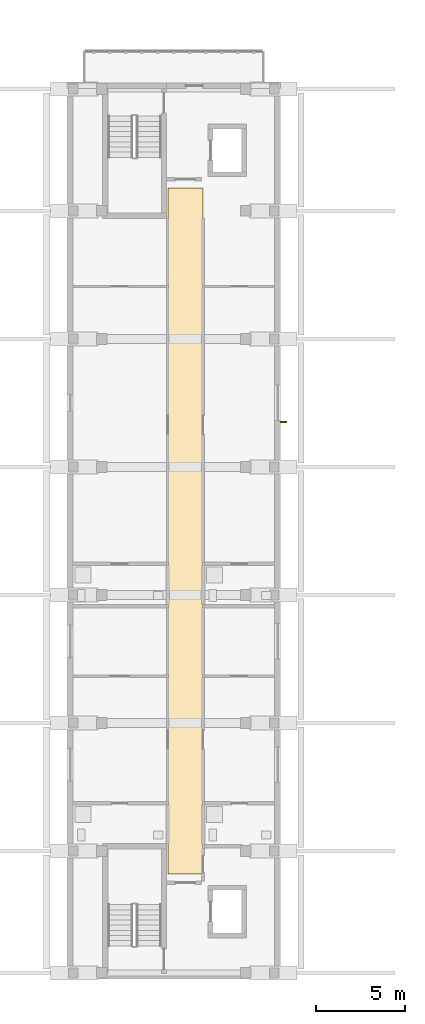
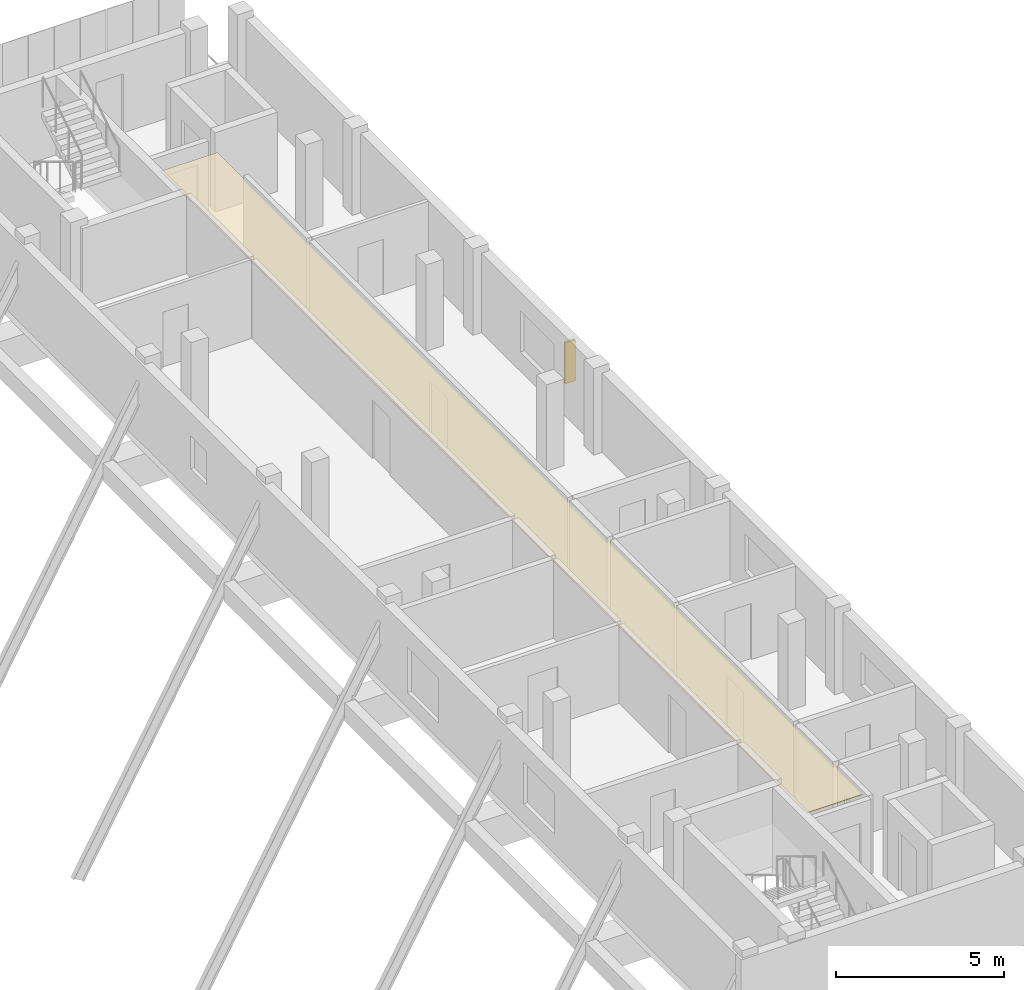
# One storey, part 29 of 34: 1 covering, 1 shading device.
"""IFC4 building model written with IfcOpenShell, lengths in metres."""

from ifc_helpers import new_model, si_unit, derived_unit, direction, frame, origin, origin_2d, place, context, subcontext, project, spatial, polyline, rectangle, outline, extrude, material, layer, layer_set, type_object, element, save


model = new_model("IFC4")

# Units and contexts
model_context = context("Model", 3, precision=1e-05, world=origin(), true_north=direction((0.0, 1.0)))
body_context = subcontext(model_context, "Body", "Model", "MODEL_VIEW")
ifc_project = project(units=[si_unit("LENGTHUNIT", "METRE"), si_unit("AREAUNIT", "SQUARE_METRE"), si_unit("VOLUMEUNIT", "CUBIC_METRE"), si_unit("PLANEANGLEUNIT", "RADIAN"), si_unit("MASSUNIT", "GRAM", prefix="KILO"), derived_unit("THERMALTRANSMITTANCEUNIT", [(si_unit("MASSUNIT", "GRAM", prefix="KILO"), 1), (si_unit("TIMEUNIT", "SECOND"), -3), (si_unit("THERMODYNAMICTEMPERATUREUNIT", "KELVIN"), -1)])], contexts=[model_context])

# Site, building, storey
site_placement = place(None, origin())
site = spatial("IfcSite", under=ifc_project, at=site_placement, CompositionType="ELEMENT")
building_placement = place(site_placement, origin())
building = spatial("IfcBuilding", under=site, at=building_placement, Name="Ochrekiln Boulevard Commons", CompositionType="ELEMENT")
storey_placement = place(building_placement, frame((0.0, 0.0, 27.824951171875)))
storey = spatial("IfcBuildingStorey", under=building, at=storey_placement, Name="L08", CompositionType="ELEMENT", Elevation=27.824951171875)

# Covering
ifc_material_1 = material(Name="Mineral-fibre acoustic ceiling tile")
ifc_layer = layer(ifc_material_1, 0.02490234375)
ifc_layer_set = layer_set([ifc_layer], Name="Mineral-fibre acoustic ceiling tile")
covering_type = type_object("IfcCoveringType", Name="COV-CEIL-AC", PredefinedType="CEILING", material=ifc_layer_set)
covering_placement = place(storey_placement, frame((0.0, 0.0, 2.650146484375)))
element("IfcCovering", 1, at=covering_placement, inside=storey, type_object=covering_type, Name="L08 Acoustic Corridor Ceiling 61", PredefinedType="CEILING", context=body_context, shape_type="SweptSolid", body=[
    extrude(outline(polyline([(159.8701171875, 5.919921875), (161.830078125, 5.919921875), (161.830078125, 44.47998046875), (159.8701171875, 44.47998046875), (159.8701171875, 5.919921875)])), origin(), (0.0, 0.0, 1.0), 0.02490234375),
])

# Shading device
ifc_material_2 = material(Name="Glazed architectural terracotta ASTM C1405", Category="masonry")
shading_device_type = type_object("IfcShadingDeviceType", Name="SHD-FIN-TERRA", PredefinedType="JALOUSIE", material=ifc_material_2)
shading_device_placement = place(storey_placement, frame((166.3701171875, 31.320068359375, 0.705078125), z_axis=(0.0, 0.0, 1.0), x_axis=(1.0, 0.0, 0.0)))
element("IfcShadingDevice", 2, at=shading_device_placement, inside=storey, type_object=shading_device_type, Name="Terracotta Solar Shading Fin SF-01 (68)", PredefinedType="JALOUSIE", context=body_context, shape_type="SweptSolid", body=[
    extrude(rectangle(XDim=0.35009765625, YDim=0.080078125, at=origin_2d()), origin(), (0.0, 0.0, 1.0), 1.5),
])

save(model, "model.ifc")
